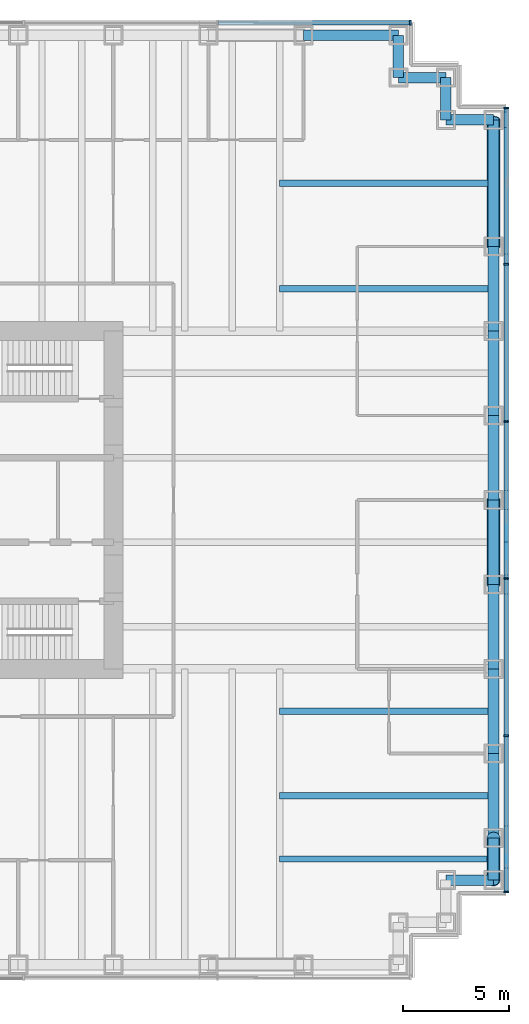
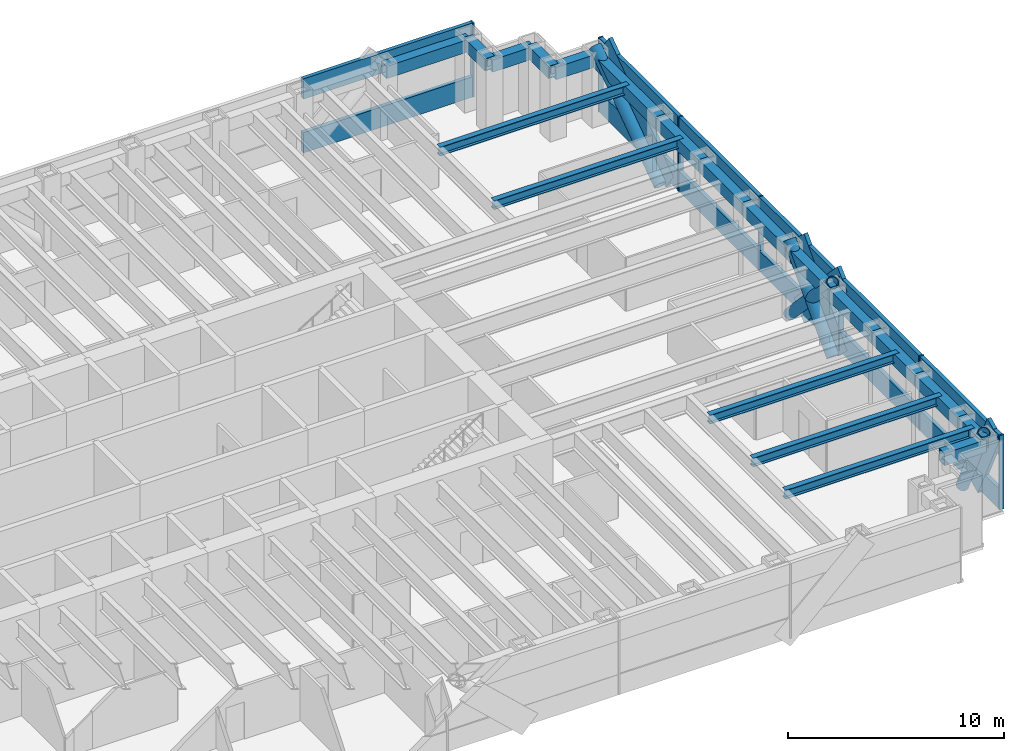
# One storey, part 7 of 16: 27 members, 20 beams, 2 elements without a shape of their own.
"""IFC4 building model written with IfcOpenShell, lengths in metres."""

from ifc_helpers import new_model, si_unit, direction, frame, origin, origin_2d, place, context, subcontext, project, spatial, rectangle, hollow_rectangle, hollow_circle, i_section, extrude, material, material_profile, profile_set, type_object, element, aggregate, save


model = new_model("IFC4")

# Units and contexts
model_context = context("Model", 3, precision=1e-05, world=origin(), true_north=direction((0.0, 1.0)))
body_context = subcontext(model_context, "Body", "Model", "MODEL_VIEW")
ifc_project = project(units=[si_unit("LENGTHUNIT", "METRE"), si_unit("AREAUNIT", "SQUARE_METRE"), si_unit("VOLUMEUNIT", "CUBIC_METRE"), si_unit("PLANEANGLEUNIT", "RADIAN"), si_unit("MASSUNIT", "GRAM", prefix="KILO")], contexts=[model_context])

# Site, building, storey
site_placement = place(None, origin())
site = spatial("IfcSite", under=ifc_project, at=site_placement, CompositionType="ELEMENT")
building_placement = place(site_placement, origin())
building = spatial("IfcBuilding", under=site, at=building_placement, Name="Rheinbord Bourse Tower", CompositionType="ELEMENT")
storey_placement = place(building_placement, frame((0.0, 0.0, 176.10009765625)))
storey = spatial("IfcBuildingStorey", under=building, at=storey_placement, Name="L39", CompositionType="ELEMENT", Elevation=176.10009765625)

# Beams
ifc_material_1 = material(Name="Steel S460M", Category="steel")
ifc_material_profile_1 = material_profile(ifc_material_1, hollow_rectangle(XDim=0.5, YDim=0.699951171875, WallThickness=0.0400390625, at=origin_2d()), Name="BOX 700x500x40")
ifc_profile_set_1 = profile_set([ifc_material_profile_1], Name="Steel S460M")
beam_type_1 = type_object("IfcBeamType", Name="BELT CHORD BOX 700x500x40", PredefinedType="SPANDREL", material=ifc_profile_set_1)
beam_1_placement = place(storey_placement, frame((69.75, 6.0, 3.599853515625), z_axis=(1.0, 0.0, 0.0), x_axis=(0.0, 1.0, 0.0)))
element("IfcBeam", 1, at=beam_1_placement, inside=storey, type_object=beam_type_1, Name="Spandrel SE-B-SE-A under L40", PredefinedType="SPANDREL", context=body_context, shape_type="SweptSolid", body=[
    extrude(hollow_rectangle(XDim=0.5, YDim=0.699951171875, WallThickness=0.0400390625, at=origin_2d()), origin(), (0.0, 0.0, 1.0), 2.25),
])
beam_2_placement = place(storey_placement, frame((72.0, 6.0, 3.599853515625), z_axis=(0.0, 1.0, 0.0), x_axis=(-1.0, 0.0, 0.0)))
element("IfcBeam", 2, at=beam_2_placement, inside=storey, type_object=beam_type_1, Name="Spandrel SE-A-E-8 under L40", PredefinedType="SPANDREL", context=body_context, shape_type="SweptSolid", body=[
    extrude(hollow_rectangle(XDim=0.5, YDim=0.699951171875, WallThickness=0.0400390625, at=origin_2d()), origin(), (0.0, 0.0, 1.0), 2.0),
])
for number, where, z_axis, x_axis, name in (
    (3, (72.0, 8.0, 3.599853515625), (0.0, 1.0, 0.0), (-1.0, 0.0, 0.0), "Spandrel E-8-E-12 under L40"),
    (4, (72.0, 12.0, 3.599853515625), (0.0, 1.0, 0.0), (-1.0, 0.0, 0.0), "Spandrel E-12-E-16 under L40"),
    (5, (72.0, 16.0, 3.599853515625), (0.0, 1.0, 0.0), (-1.0, 0.0, 0.0), "Spandrel E-16-E-20 under L40"),
    (6, (72.0, 20.0, 3.599853515625), (0.0, 1.0, 0.0), (-1.0, 0.0, 0.0), "Spandrel E-20-E-24 under L40"),
    (7, (72.0, 24.0, 3.599853515625), (0.0, 1.0, 0.0), (-1.0, 0.0, 0.0), "Spandrel E-24-E-28 under L40"),
    (8, (72.0, 28.0, 3.599853515625), (0.0, 1.0, 0.0), (-1.0, 0.0, 0.0), "Spandrel E-28-E-32 under L40"),
    (9, (72.0, 32.0, 3.599853515625), (0.0, 1.0, 0.0), (-1.0, 0.0, 0.0), "Spandrel E-32-E-36 under L40"),
):
    element("IfcBeam", number, at=place(storey_placement, frame(where, z_axis=z_axis, x_axis=x_axis)), inside=storey, type_object=beam_type_1, Name=name, PredefinedType="SPANDREL", context=body_context, shape_type="SweptSolid", body=[
        extrude(hollow_rectangle(XDim=0.5, YDim=0.699951171875, WallThickness=0.0400390625, at=origin_2d()), origin(), (0.0, 0.0, 1.0), 4.0),
    ])
beam_3_placement = place(storey_placement, frame((72.0, 36.0, 3.599853515625), z_axis=(0.0, 1.0, 0.0), x_axis=(-1.0, 0.0, 0.0)))
element("IfcBeam", 10, at=beam_3_placement, inside=storey, type_object=beam_type_1, Name="Spandrel E-36-NE-A under L40", PredefinedType="SPANDREL", context=body_context, shape_type="SweptSolid", body=[
    extrude(hollow_rectangle(XDim=0.5, YDim=0.699951171875, WallThickness=0.0400390625, at=origin_2d()), origin(), (0.0, 0.0, 1.0), 6.0),
])
beam_4_placement = place(storey_placement, frame((72.0, 42.0, 3.599853515625), z_axis=(-1.0, 0.0, 0.0), x_axis=(0.0, -1.0, 0.0)))
element("IfcBeam", 11, at=beam_4_placement, inside=storey, type_object=beam_type_1, Name="Spandrel NE-A-NE-B under L40", PredefinedType="SPANDREL", context=body_context, shape_type="SweptSolid", body=[
    extrude(hollow_rectangle(XDim=0.5, YDim=0.699951171875, WallThickness=0.0400390625, at=origin_2d()), origin(), (0.0, 0.0, 1.0), 2.25),
])
beam_5_placement = place(storey_placement, frame((69.75, 42.0, 3.599853515625), z_axis=(0.0, 1.0, 0.0), x_axis=(-1.0, 0.0, 0.0)))
element("IfcBeam", 12, at=beam_5_placement, inside=storey, type_object=beam_type_1, Name="Spandrel NE-B-NE-C under L40", PredefinedType="SPANDREL", context=body_context, shape_type="SweptSolid", body=[
    extrude(hollow_rectangle(XDim=0.5, YDim=0.699951171875, WallThickness=0.0400390625, at=origin_2d()), origin(), (0.0, 0.0, 1.0), 2.0),
])
beam_6_placement = place(storey_placement, frame((69.75, 44.0, 3.599853515625), z_axis=(-1.0, 0.0, 0.0), x_axis=(0.0, -1.0, 0.0)))
element("IfcBeam", 13, at=beam_6_placement, inside=storey, type_object=beam_type_1, Name="Spandrel NE-C-NE-D under L40", PredefinedType="SPANDREL", context=body_context, shape_type="SweptSolid", body=[
    extrude(hollow_rectangle(XDim=0.5, YDim=0.699951171875, WallThickness=0.0400390625, at=origin_2d()), origin(), (0.0, 0.0, 1.0), 2.25),
])
beam_7_placement = place(storey_placement, frame((67.5, 44.0, 3.599853515625), z_axis=(0.0, 1.0, 0.0), x_axis=(-1.0, 0.0, 0.0)))
element("IfcBeam", 14, at=beam_7_placement, inside=storey, type_object=beam_type_1, Name="Spandrel NE-D-NE-E under L40", PredefinedType="SPANDREL", context=body_context, shape_type="SweptSolid", body=[
    extrude(hollow_rectangle(XDim=0.5, YDim=0.699951171875, WallThickness=0.0400390625, at=origin_2d()), origin(), (0.0, 0.0, 1.0), 2.0),
])
beam_8_placement = place(storey_placement, frame((67.5, 46.0, 3.599853515625), z_axis=(-1.0, 0.0, 0.0), x_axis=(0.0, -1.0, 0.0)))
element("IfcBeam", 15, at=beam_8_placement, inside=storey, type_object=beam_type_1, Name="Spandrel NE-E-N-63 under L40", PredefinedType="SPANDREL", context=body_context, shape_type="SweptSolid", body=[
    extrude(hollow_rectangle(XDim=0.5, YDim=0.699951171875, WallThickness=0.0400390625, at=origin_2d()), origin(), (0.0, 0.0, 1.0), 4.5),
])

# Curtain wall, members
ifc_material_2 = material(Name="Dark glass and black aluminium", Category="aluminium")
curtain_wall_type = type_object("IfcCurtainWallType", Name="CW5 DARK GLASS CURTAIN WALL", PredefinedType="USERDEFINED", material=ifc_material_2)
curtain_wall_1_placement = place(storey_placement, origin())
curtain_wall_1 = element("IfcCurtainWall", 16, at=curtain_wall_1_placement, inside=storey, type_object=curtain_wall_type, Name="Curtain wall CW5 E L39", ObjectType="UNITISED CURTAIN WALL", PredefinedType="USERDEFINED")
ifc_material_3 = material(Name="Black anodised aluminium", Category="aluminium")
ifc_material_profile_2 = material_profile(ifc_material_3, rectangle(XDim=0.199951171875, YDim=1.259033203125, at=origin_2d()), Name="CW5 DIAGONAL MULLION 1259x200")
ifc_profile_set_2 = profile_set([ifc_material_profile_2], Name="Black anodised aluminium")
member_type_1 = type_object("IfcMemberType", Name="CW5 BLACK DIAGONAL MULLION", PredefinedType="USERDEFINED", material=ifc_profile_set_2)
member_1_placement = place(storey_placement, frame((72.60009765625, 20.0, 0.0), z_axis=(0.0, 0.689659376744, 0.724133926887), x_axis=(-1.0, 0.0, 0.0)))
member_1 = element("IfcMember", 17, at=member_1_placement, type_object=member_type_1, Name="CW5 diagonal mullion a", ObjectType="DIAGONAL MULLION", PredefinedType="USERDEFINED", context=body_context, shape_type="SweptSolid", body=[
    extrude(rectangle(XDim=0.199951171875, YDim=1.259033203125, at=origin_2d()), origin(), (0.0, 0.0, 1.0), 5.800048828125),
])
member_2_placement = place(storey_placement, frame((72.60009765625, 24.0, 0.0), z_axis=(0.0, -0.689659376744, 0.724133926887), x_axis=(1.0, 0.0, 0.0)))
member_2 = element("IfcMember", 18, at=member_2_placement, type_object=member_type_1, Name="CW5 diagonal mullion b", ObjectType="DIAGONAL MULLION", PredefinedType="USERDEFINED", context=body_context, shape_type="SweptSolid", body=[
    extrude(rectangle(XDim=0.199951171875, YDim=1.259033203125, at=origin_2d()), origin(), (0.0, 0.0, 1.0), 5.800048828125),
])
member_3_placement = place(storey_placement, frame((72.60009765625, 36.0, 0.0), z_axis=(0.0, 0.819235052632, 0.57345786989), x_axis=(-1.0, 0.0, 0.0)))
member_3 = element("IfcMember", 19, at=member_3_placement, type_object=member_type_1, Name="CW5 diagonal mullion c", ObjectType="DIAGONAL MULLION", PredefinedType="USERDEFINED", context=body_context, shape_type="SweptSolid", body=[
    extrude(rectangle(XDim=0.199951171875, YDim=1.259033203125, at=origin_2d()), origin(), (0.0, 0.0, 1.0), 7.323974609375),
])
member_4_placement = place(storey_placement, frame((72.60009765625, 8.0, 0.0), z_axis=(0.0, -0.429937654825, 0.902858578607), x_axis=(1.0, 0.0, 0.0)))
member_4 = element("IfcMember", 20, at=member_4_placement, type_object=member_type_1, Name="CW5 diagonal mullion d", ObjectType="DIAGONAL MULLION", PredefinedType="USERDEFINED", context=body_context, shape_type="SweptSolid", body=[
    extrude(rectangle(XDim=0.199951171875, YDim=1.259033203125, at=origin_2d()), origin(), (0.0, 0.0, 1.0), 4.65185546875),
])
ifc_material_4 = material(Name="Black anodised aluminium", Category="aluminium")
ifc_material_profile_3 = material_profile(ifc_material_4, rectangle(XDim=0.25, YDim=0.080078125, at=origin_2d()), Name="CW5 MULLION 80x250")
ifc_profile_set_3 = profile_set([ifc_material_profile_3], Name="Black anodised aluminium")
member_type_2 = type_object("IfcMemberType", Name="CW5 BLACK MULLION", PredefinedType="MULLION", material=ifc_profile_set_3)
member_5_placement = place(storey_placement, frame((72.60009765625, 5.43994140625, 0.0), z_axis=(0.0, 0.0, 1.0), x_axis=(-1.0, 0.0, 0.0)))
member_5 = element("IfcMember", 21, at=member_5_placement, type_object=member_type_2, Name="CW5 mullion 1", PredefinedType="MULLION", context=body_context, shape_type="SweptSolid", body=[
    extrude(rectangle(XDim=0.25, YDim=0.080078125, at=origin_2d()), origin(), (0.0, 0.0, 1.0), 4.199951171875),
])
member_6_placement = place(storey_placement, frame((72.60009765625, 12.840087890625, 0.0), z_axis=(0.0, 0.0, 1.0), x_axis=(-1.0, 0.0, 0.0)))
member_6 = element("IfcMember", 22, at=member_6_placement, type_object=member_type_2, Name="CW5 mullion 2", PredefinedType="MULLION", context=body_context, shape_type="SweptSolid", body=[
    extrude(rectangle(XDim=0.25, YDim=0.080078125, at=origin_2d()), origin(), (0.0, 0.0, 1.0), 4.199951171875),
])
member_7_placement = place(storey_placement, frame((72.60009765625, 20.280029296875, 0.0), z_axis=(0.0, 0.0, 1.0), x_axis=(-1.0, 0.0, 0.0)))
member_7 = element("IfcMember", 23, at=member_7_placement, type_object=member_type_2, Name="CW5 mullion 3", PredefinedType="MULLION", context=body_context, shape_type="SweptSolid", body=[
    extrude(rectangle(XDim=0.25, YDim=0.080078125, at=origin_2d()), origin(), (0.0, 0.0, 1.0), 4.199951171875),
])
member_8_placement = place(storey_placement, frame((72.60009765625, 27.719970703125, 0.0), z_axis=(0.0, 0.0, 1.0), x_axis=(-1.0, 0.0, 0.0)))
member_8 = element("IfcMember", 24, at=member_8_placement, type_object=member_type_2, Name="CW5 mullion 4", PredefinedType="MULLION", context=body_context, shape_type="SweptSolid", body=[
    extrude(rectangle(XDim=0.25, YDim=0.080078125, at=origin_2d()), origin(), (0.0, 0.0, 1.0), 4.199951171875),
])
member_9_placement = place(storey_placement, frame((72.60009765625, 35.159912109375, 0.0), z_axis=(0.0, 0.0, 1.0), x_axis=(-1.0, 0.0, 0.0)))
member_9 = element("IfcMember", 25, at=member_9_placement, type_object=member_type_2, Name="CW5 mullion 5", PredefinedType="MULLION", context=body_context, shape_type="SweptSolid", body=[
    extrude(rectangle(XDim=0.25, YDim=0.080078125, at=origin_2d()), origin(), (0.0, 0.0, 1.0), 4.199951171875),
])
member_10_placement = place(storey_placement, frame((72.60009765625, 42.56005859375, 0.0), z_axis=(0.0, 0.0, 1.0), x_axis=(-1.0, 0.0, 0.0)))
member_10 = element("IfcMember", 26, at=member_10_placement, type_object=member_type_2, Name="CW5 mullion 6", PredefinedType="MULLION", context=body_context, shape_type="SweptSolid", body=[
    extrude(rectangle(XDim=0.25, YDim=0.080078125, at=origin_2d()), origin(), (0.0, 0.0, 1.0), 4.199951171875),
])

# Curtain wall, member
curtain_wall_2_placement = place(storey_placement, origin())
curtain_wall_2 = element("IfcCurtainWall", 27, at=curtain_wall_2_placement, inside=storey, type_object=curtain_wall_type, Name="Curtain wall CW5 N L39", ObjectType="UNITISED CURTAIN WALL", PredefinedType="USERDEFINED")
member_11_placement = place(storey_placement, frame((68.06005859375, 46.60009765625, 0.0), z_axis=(0.0, 0.0, 1.0), x_axis=(0.0, -1.0, 0.0)))
member_11 = element("IfcMember", 28, at=member_11_placement, type_object=member_type_2, Name="CW5 mullion 1", PredefinedType="MULLION", context=body_context, shape_type="SweptSolid", body=[
    extrude(rectangle(XDim=0.25, YDim=0.080078125, at=origin_2d()), origin(), (0.0, 0.0, 1.0), 4.199951171875),
])

# Member
ifc_material_5 = material(Name="Black anodised aluminium", Category="aluminium")
ifc_material_profile_4 = material_profile(ifc_material_5, rectangle(XDim=0.199951171875, YDim=1.14990234375, at=origin_2d()), Name="CW5 TRANSOM 1150x200")
ifc_profile_set_4 = profile_set([ifc_material_profile_4], Name="Black anodised aluminium")
member_type_3 = type_object("IfcMemberType", Name="CW5 BLACK TRANSOM", PredefinedType="USERDEFINED", material=ifc_profile_set_4)
member_12_placement = place(storey_placement, frame((72.60009765625, 5.47998046875, 0.574951171875), z_axis=(0.0, 1.0, 0.0), x_axis=(-1.0, 0.0, 0.0)))
member_12 = element("IfcMember", 29, at=member_12_placement, type_object=member_type_3, Name="CW5 transom 1.1", ObjectType="TRANSOM", PredefinedType="USERDEFINED", context=body_context, shape_type="SweptSolid", body=[
    extrude(rectangle(XDim=0.199951171875, YDim=1.14990234375, at=origin_2d()), origin(), (0.0, 0.0, 1.0), 7.320068359375),
])

member_13_placement = place(storey_placement, frame((72.60009765625, 5.47998046875, 3.625), z_axis=(0.0, 1.0, 0.0), x_axis=(-1.0, 0.0, 0.0)))
member_13 = element("IfcMember", 30, at=member_13_placement, type_object=member_type_3, Name="CW5 transom 1.2", ObjectType="TRANSOM", PredefinedType="USERDEFINED", context=body_context, shape_type="SweptSolid", body=[
    extrude(rectangle(XDim=0.199951171875, YDim=1.14990234375, at=origin_2d()), origin(), (0.0, 0.0, 1.0), 7.320068359375),
])

member_14_placement = place(storey_placement, frame((72.60009765625, 12.8798828125, 0.574951171875), z_axis=(0.0, 1.0, 0.0), x_axis=(-1.0, 0.0, 0.0)))
member_14 = element("IfcMember", 31, at=member_14_placement, type_object=member_type_3, Name="CW5 transom 2.1", ObjectType="TRANSOM", PredefinedType="USERDEFINED", context=body_context, shape_type="SweptSolid", body=[
    extrude(rectangle(XDim=0.199951171875, YDim=1.14990234375, at=origin_2d()), origin(), (0.0, 0.0, 1.0), 7.360107421875),
])

member_15_placement = place(storey_placement, frame((72.60009765625, 12.8798828125, 3.625), z_axis=(0.0, 1.0, 0.0), x_axis=(-1.0, 0.0, 0.0)))
member_15 = element("IfcMember", 32, at=member_15_placement, type_object=member_type_3, Name="CW5 transom 2.2", ObjectType="TRANSOM", PredefinedType="USERDEFINED", context=body_context, shape_type="SweptSolid", body=[
    extrude(rectangle(XDim=0.199951171875, YDim=1.14990234375, at=origin_2d()), origin(), (0.0, 0.0, 1.0), 7.360107421875),
])

member_16_placement = place(storey_placement, frame((72.60009765625, 20.320068359375, 0.574951171875), z_axis=(0.0, 1.0, 0.0), x_axis=(-1.0, 0.0, 0.0)))
member_16 = element("IfcMember", 33, at=member_16_placement, type_object=member_type_3, Name="CW5 transom 3.1", ObjectType="TRANSOM", PredefinedType="USERDEFINED", context=body_context, shape_type="SweptSolid", body=[
    extrude(rectangle(XDim=0.199951171875, YDim=1.14990234375, at=origin_2d()), origin(), (0.0, 0.0, 1.0), 7.35986328125),
])

member_17_placement = place(storey_placement, frame((72.60009765625, 20.320068359375, 3.625), z_axis=(0.0, 1.0, 0.0), x_axis=(-1.0, 0.0, 0.0)))
member_17 = element("IfcMember", 34, at=member_17_placement, type_object=member_type_3, Name="CW5 transom 3.2", ObjectType="TRANSOM", PredefinedType="USERDEFINED", context=body_context, shape_type="SweptSolid", body=[
    extrude(rectangle(XDim=0.199951171875, YDim=1.14990234375, at=origin_2d()), origin(), (0.0, 0.0, 1.0), 7.35986328125),
])

member_18_placement = place(storey_placement, frame((72.60009765625, 27.760009765625, 0.574951171875), z_axis=(0.0, 1.0, 0.0), x_axis=(-1.0, 0.0, 0.0)))
member_18 = element("IfcMember", 35, at=member_18_placement, type_object=member_type_3, Name="CW5 transom 4.1", ObjectType="TRANSOM", PredefinedType="USERDEFINED", context=body_context, shape_type="SweptSolid", body=[
    extrude(rectangle(XDim=0.199951171875, YDim=1.14990234375, at=origin_2d()), origin(), (0.0, 0.0, 1.0), 7.360107421875),
])

member_19_placement = place(storey_placement, frame((72.60009765625, 27.760009765625, 3.625), z_axis=(0.0, 1.0, 0.0), x_axis=(-1.0, 0.0, 0.0)))
member_19 = element("IfcMember", 36, at=member_19_placement, type_object=member_type_3, Name="CW5 transom 4.2", ObjectType="TRANSOM", PredefinedType="USERDEFINED", context=body_context, shape_type="SweptSolid", body=[
    extrude(rectangle(XDim=0.199951171875, YDim=1.14990234375, at=origin_2d()), origin(), (0.0, 0.0, 1.0), 7.360107421875),
])

member_20_placement = place(storey_placement, frame((72.60009765625, 35.199951171875, 0.574951171875), z_axis=(0.0, 1.0, 0.0), x_axis=(-1.0, 0.0, 0.0)))
member_20 = element("IfcMember", 37, at=member_20_placement, type_object=member_type_3, Name="CW5 transom 5.1", ObjectType="TRANSOM", PredefinedType="USERDEFINED", context=body_context, shape_type="SweptSolid", body=[
    extrude(rectangle(XDim=0.199951171875, YDim=1.14990234375, at=origin_2d()), origin(), (0.0, 0.0, 1.0), 7.320068359375),
])

member_21_placement = place(storey_placement, frame((72.60009765625, 35.199951171875, 3.625), z_axis=(0.0, 1.0, 0.0), x_axis=(-1.0, 0.0, 0.0)))
member_21 = element("IfcMember", 38, at=member_21_placement, type_object=member_type_3, Name="CW5 transom 5.2", ObjectType="TRANSOM", PredefinedType="USERDEFINED", context=body_context, shape_type="SweptSolid", body=[
    extrude(rectangle(XDim=0.199951171875, YDim=1.14990234375, at=origin_2d()), origin(), (0.0, 0.0, 1.0), 7.320068359375),
])

aggregate(curtain_wall_1, [member_5, member_6, member_7, member_8, member_9, member_10, member_12, member_13, member_14, member_15, member_16, member_17, member_18, member_19, member_20, member_21, member_1, member_2, member_3, member_4])

member_22_placement = place(storey_placement, frame((68.02001953125, 46.60009765625, 0.574951171875), z_axis=(-1.0, 0.0, 0.0), x_axis=(0.0, -1.0, 0.0)))
member_22 = element("IfcMember", 39, at=member_22_placement, type_object=member_type_3, Name="CW5 transom 1.1", ObjectType="TRANSOM", PredefinedType="USERDEFINED", context=body_context, shape_type="SweptSolid", body=[
    extrude(rectangle(XDim=0.199951171875, YDim=1.14990234375, at=origin_2d()), origin(), (0.0, 0.0, 1.0), 9.051513671875),
])

member_23_placement = place(storey_placement, frame((68.02001953125, 46.60009765625, 3.625), z_axis=(-1.0, 0.0, 0.0), x_axis=(0.0, -1.0, 0.0)))
member_23 = element("IfcMember", 40, at=member_23_placement, type_object=member_type_3, Name="CW5 transom 1.2", ObjectType="TRANSOM", PredefinedType="USERDEFINED", context=body_context, shape_type="SweptSolid", body=[
    extrude(rectangle(XDim=0.199951171875, YDim=1.14990234375, at=origin_2d()), origin(), (0.0, 0.0, 1.0), 9.051513671875),
])

aggregate(curtain_wall_2, [member_11, member_22, member_23])

# Members
ifc_material_6 = material(Name="Steel S460", Category="steel")
ifc_material_profile_5 = material_profile(ifc_material_6, hollow_circle(Radius=0.304931640625, WallThickness=0.0400390625, at=origin_2d()), Name="CHS 610x40")
ifc_profile_set_5 = profile_set([ifc_material_profile_5], Name="Steel S460")
member_type_4 = type_object("IfcMemberType", Name="MEGABRACE CHS 610x40", PredefinedType="BRACE", material=ifc_profile_set_5)
for number, where, z_axis, x_axis, name in (
    (41, (72.0, 20.0, 0.0), (0.0, 0.689659376744, 0.724133926887), (-1.0, 0.0, 0.0), "Megabrace E face line a L39"),
    (42, (72.0, 24.0, 0.0), (0.0, -0.689659376744, 0.724133926887), (1.0, 0.0, 0.0), "Megabrace E face line b L39"),
):
    element("IfcMember", number, at=place(storey_placement, frame(where, z_axis=z_axis, x_axis=x_axis)), inside=storey, type_object=member_type_4, Name=name, PredefinedType="BRACE", context=body_context, shape_type="SweptSolid", body=[
        extrude(hollow_circle(Radius=0.304931640625, WallThickness=0.0400390625, at=origin_2d()), origin(), (0.0, 0.0, 1.0), 5.800048828125),
    ])
member_24_placement = place(storey_placement, frame((72.0, 36.0, 0.0), z_axis=(0.0, 0.819235052632, 0.57345786989), x_axis=(-1.0, 0.0, 0.0)))
element("IfcMember", 43, at=member_24_placement, inside=storey, type_object=member_type_4, Name="Megabrace E face line c L39", PredefinedType="BRACE", context=body_context, shape_type="SweptSolid", body=[
    extrude(hollow_circle(Radius=0.304931640625, WallThickness=0.0400390625, at=origin_2d()), origin(), (0.0, 0.0, 1.0), 7.323974609375),
])
member_25_placement = place(storey_placement, frame((72.0, 8.0, 0.0), z_axis=(0.0, -0.429937654825, 0.902858578607), x_axis=(1.0, 0.0, 0.0)))
element("IfcMember", 44, at=member_25_placement, inside=storey, type_object=member_type_4, Name="Megabrace E face line d L39", PredefinedType="BRACE", context=body_context, shape_type="SweptSolid", body=[
    extrude(hollow_circle(Radius=0.304931640625, WallThickness=0.0400390625, at=origin_2d()), origin(), (0.0, 0.0, 1.0), 4.65185546875),
])

# Beams
ifc_material_7 = material(Name="Steel S460", Category="steel")
ifc_material_profile_6 = material_profile(ifc_material_7, i_section(OverallWidth=0.300048828125, OverallDepth=0.5, WebThickness=0.014404296875, FlangeThickness=0.028076171875, at=origin_2d()), Name="HEB 500")
ifc_profile_set_6 = profile_set([ifc_material_profile_6], Name="Steel S460")
beam_type_2 = type_object("IfcBeamType", Name="TIE BEAM HEB 500", PredefinedType="JOIST", material=ifc_profile_set_6)
for number, where, z_axis, x_axis, name in (
    (45, (61.875, 7.0, 3.699951171875), (1.0, 0.0, 0.0), (0.0, 1.0, 0.0), "Tie east 7 L40"),
    (46, (61.875, 10.0, 3.699951171875), (1.0, 0.0, 0.0), (0.0, 1.0, 0.0), "Tie east 10 L40"),
    (47, (61.875, 14.0, 3.699951171875), (1.0, 0.0, 0.0), (0.0, 1.0, 0.0), "Tie east 14 L40"),
    (48, (61.875, 34.0, 3.699951171875), (1.0, 0.0, 0.0), (0.0, 1.0, 0.0), "Tie east 34 L40"),
    (49, (61.875, 39.0, 3.699951171875), (1.0, 0.0, 0.0), (0.0, 1.0, 0.0), "Tie east 39 L40"),
):
    element("IfcBeam", number, at=place(storey_placement, frame(where, z_axis=z_axis, x_axis=x_axis)), inside=storey, type_object=beam_type_2, Name=name, PredefinedType="JOIST", context=body_context, shape_type="SweptSolid", body=[
        extrude(i_section(OverallWidth=0.300048828125, OverallDepth=0.5, WebThickness=0.014404296875, FlangeThickness=0.028076171875, at=origin_2d()), origin(), (0.0, 0.0, 1.0), 10.125),
    ])

save(model, "model.ifc")
